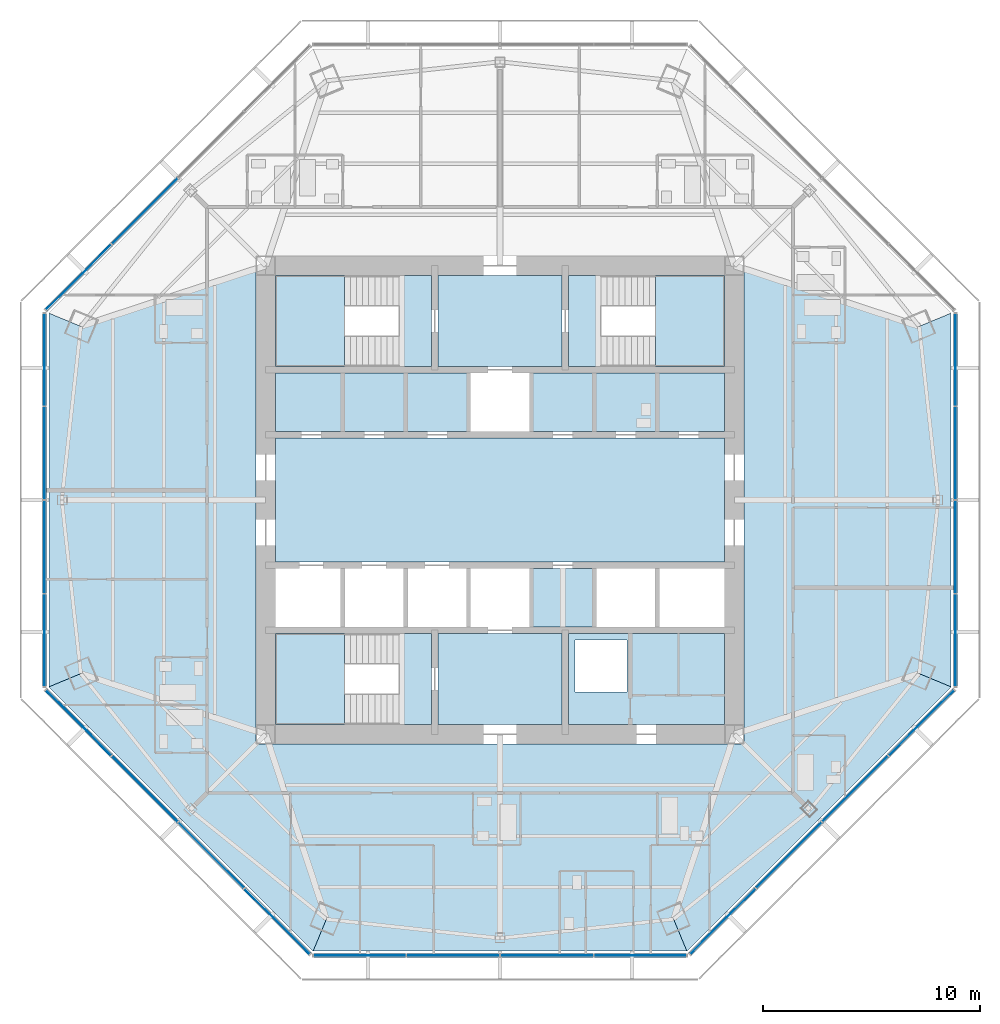
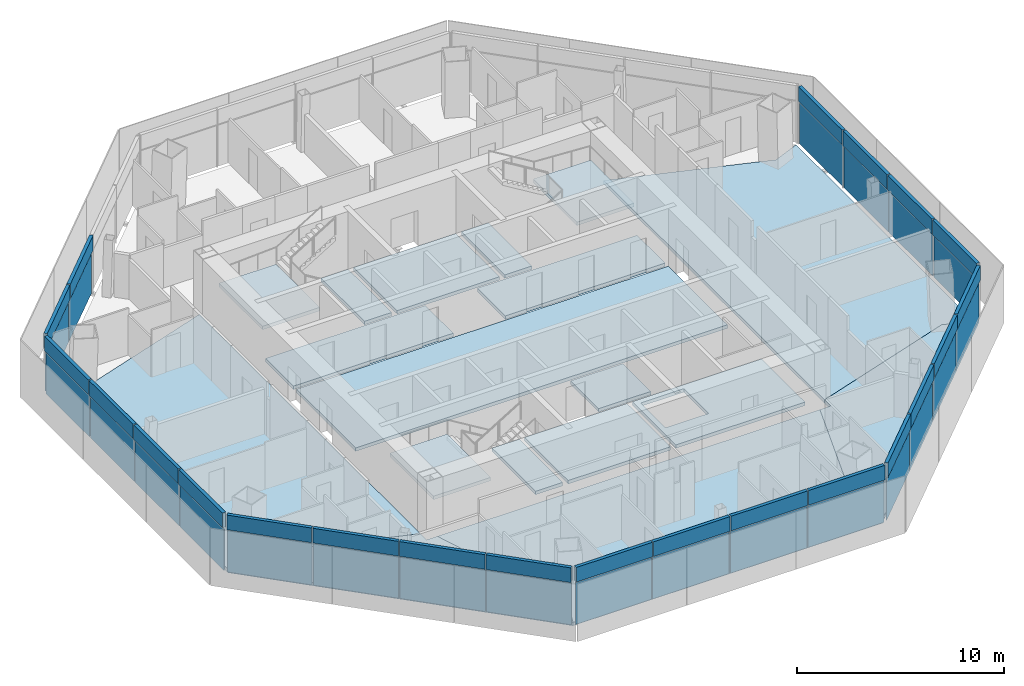
# One storey, part 7 of 15: 44 plates, 18 slabs, 9 elements without a shape of their own.
"""IFC4 building model written with IfcOpenShell, lengths in metres."""

from ifc_helpers import new_model, si_unit, direction, frame, origin, origin_2d, place, context, subcontext, project, spatial, polyline, rectangle, outline, extrude, source, transform, mapped, material, layer, layer_set, type_object, type_shapes, element, aggregate, save


model = new_model("IFC4")

# Units and contexts
model_context = context("Model", 3, precision=1e-05, world=origin(), true_north=direction((0.0, 1.0)))
body_context = subcontext(model_context, "Body", "Model", "MODEL_VIEW")
ifc_project = project(units=[si_unit("LENGTHUNIT", "METRE"), si_unit("AREAUNIT", "SQUARE_METRE"), si_unit("VOLUMEUNIT", "CUBIC_METRE"), si_unit("PLANEANGLEUNIT", "RADIAN"), si_unit("MASSUNIT", "GRAM", prefix="KILO")], contexts=[model_context])

# Site, building, storey
site_placement = place(None, origin())
site = spatial("IfcSite", under=ifc_project, at=site_placement, CompositionType="ELEMENT")
building_placement = place(site_placement, origin())
building = spatial("IfcBuilding", under=site, at=building_placement, Name="Mashrafa Tower", CompositionType="ELEMENT")
storey_placement = place(building_placement, frame((0.0, 0.0, 248.199951171875)))
storey = spatial("IfcBuildingStorey", under=building, at=storey_placement, Name="L59", CompositionType="ELEMENT", Elevation=248.199951171875)

# Slabs
ifc_material_1 = material(Name="Concrete C35/45", Category="concrete")
ifc_layer_1 = layer(ifc_material_1, 0.199951171875)
ifc_layer_set_1 = layer_set([ifc_layer_1], Name="Floor slab 200")
slab_type_1 = type_object("IfcSlabType", Name="Floor slab 200", PredefinedType="FLOOR", material=ifc_layer_set_1)
slab_1_placement = place(storey_placement, frame((0.0, 0.0, -0.199951171875)))
element("IfcSlab", 1, at=slab_1_placement, inside=storey, type_object=slab_type_1, Name="Floor slab L59 east bay", PredefinedType="FLOOR", context=body_context, shape_type="SweptSolid", body=[
    extrude(outline(polyline([(20.79345703125, 8.613037109375), (20.79345703125, -8.613037109375), (20.79345703125, -8.613037109375), (19.32080078125, -8.0029296875), (11.25, -10.65234375), (11.25, 10.65234375), (19.32080078125, 8.0029296875), (20.79345703125, 8.613037109375), (20.79345703125, 8.613037109375)])), origin(), (0.0, 0.0, 1.0), 0.199951171875),
])
slab_2_placement = place(storey_placement, frame((0.0, 0.0, -0.199951171875)))
element("IfcSlab", 2, at=slab_2_placement, inside=storey, type_object=slab_type_1, Name="Floor slab L59 west bay", PredefinedType="FLOOR", context=body_context, shape_type="SweptSolid", body=[
    extrude(outline(polyline([(-20.79345703125, -8.613037109375), (-20.79345703125, 8.613037109375), (-20.79345703125, 8.613037109375), (-19.32080078125, 8.0029296875), (-11.25, 10.65234375), (-11.25, -10.65234375), (-19.32080078125, -8.0029296875), (-20.79345703125, -8.613037109375), (-20.79345703125, -8.613037109375)])), origin(), (0.0, 0.0, 1.0), 0.199951171875),
])
slab_3_placement = place(storey_placement, frame((0.0, 0.0, -0.199951171875)))
element("IfcSlab", 3, at=slab_3_placement, inside=storey, type_object=slab_type_1, Name="Floor slab L59 south-west bay", PredefinedType="FLOOR", context=body_context, shape_type="SweptSolid", body=[
    extrude(outline(polyline([(-20.79345703125, -8.613037109375), (-19.32080078125, -8.0029296875), (-11.25, -10.65234375), (-11.25, -11.25), (-10.65234375, -11.25), (-8.0029296875, -19.32080078125), (-8.613037109375, -20.79345703125), (-20.79345703125, -8.613037109375)])), origin(), (0.0, 0.0, 1.0), 0.199951171875),
])
slab_4_placement = place(storey_placement, frame((0.0, 0.0, -0.199951171875)))
element("IfcSlab", 4, at=slab_4_placement, inside=storey, type_object=slab_type_1, Name="Floor slab L59 south bay", PredefinedType="FLOOR", context=body_context, shape_type="SweptSolid", body=[
    extrude(outline(polyline([(-8.613037109375, -20.79345703125), (-8.613037109375, -20.79345703125), (-8.0029296875, -19.32080078125), (-10.65234375, -11.25), (10.65234375, -11.25), (8.0029296875, -19.32080078125), (8.613037109375, -20.79345703125), (8.613037109375, -20.79345703125), (-8.613037109375, -20.79345703125)])), origin(), (0.0, 0.0, 1.0), 0.199951171875),
])
slab_5_placement = place(storey_placement, frame((0.0, 0.0, -0.199951171875)))
element("IfcSlab", 5, at=slab_5_placement, inside=storey, type_object=slab_type_1, Name="Floor slab L59 south-east bay", PredefinedType="FLOOR", context=body_context, shape_type="SweptSolid", body=[
    extrude(outline(polyline([(8.613037109375, -20.79345703125), (8.0029296875, -19.32080078125), (10.65234375, -11.25), (11.25, -11.25), (11.25, -10.65234375), (19.32080078125, -8.0029296875), (20.79345703125, -8.613037109375), (8.613037109375, -20.79345703125)])), origin(), (0.0, 0.0, 1.0), 0.199951171875),
])
slab_6_placement = place(storey_placement, frame((0.0, 0.0, -0.199951171875)))
element("IfcSlab", 6, at=slab_6_placement, inside=storey, type_object=slab_type_1, Name="Core floor lift hall L59", PredefinedType="FLOOR", context=body_context, shape_type="SweptSolid", body=[
    extrude(outline(polyline([(-10.35009765625, 2.85009765625), (10.35009765625, 2.85009765625), (10.35009765625, -2.85009765625), (-10.35009765625, -2.85009765625), (-10.35009765625, 2.85009765625)])), origin(), (0.0, 0.0, 1.0), 0.199951171875),
])
slab_7_placement = place(storey_placement, frame((0.0, 0.0, -0.199951171875)))
element("IfcSlab", 7, at=slab_7_placement, inside=storey, type_object=slab_type_1, Name="Core floor riser and electrical band L59", PredefinedType="FLOOR", context=body_context, shape_type="SweptSolid", body=[
    extrude(outline(polyline([(10.35009765625, -6.14990234375), (10.35009765625, -10.35009765625), (3.14990234375, -10.35009765625), (3.14990234375, -6.14990234375), (10.35009765625, -6.14990234375)]), holes=[polyline([(3.449951171875, -8.85009765625), (5.85009765625, -8.85009765625), (5.85009765625, -6.449951171875), (3.449951171875, -6.449951171875), (3.449951171875, -8.85009765625)])]), origin(), (0.0, 0.0, 1.0), 0.199951171875),
])
slab_8_placement = place(storey_placement, frame((0.0, 0.0, -0.199951171875)))
element("IfcSlab", 8, at=slab_8_placement, inside=storey, type_object=slab_type_1, Name="Core floor lift cell L59", PredefinedType="FLOOR", context=body_context, shape_type="SweptSolid", body=[
    extrude(outline(polyline([(-10.35009765625, 5.85009765625), (-1.449951171875, 5.85009765625), (-1.449951171875, 3.14990234375), (-10.35009765625, 3.14990234375), (-10.35009765625, 5.85009765625)])), origin(), (0.0, 0.0, 1.0), 0.199951171875),
])
slab_9_placement = place(storey_placement, frame((0.0, 0.0, -0.199951171875)))
element("IfcSlab", 9, at=slab_9_placement, inside=storey, type_object=slab_type_1, Name="Core floor lift cell L59", PredefinedType="FLOOR", context=body_context, shape_type="SweptSolid", body=[
    extrude(outline(polyline([(1.449951171875, 5.85009765625), (10.35009765625, 5.85009765625), (10.35009765625, 3.14990234375), (1.449951171875, 3.14990234375), (1.449951171875, 5.85009765625)])), origin(), (0.0, 0.0, 1.0), 0.199951171875),
])
slab_10_placement = place(storey_placement, frame((0.0, 0.0, -0.199951171875)))
element("IfcSlab", 10, at=slab_10_placement, inside=storey, type_object=slab_type_1, Name="Core floor fire-fighting lobby south L59", PredefinedType="FLOOR", context=body_context, shape_type="SweptSolid", body=[
    extrude(outline(polyline([(2.85009765625, -6.14990234375), (2.85009765625, -10.35009765625), (-2.85009765625, -10.35009765625), (-2.85009765625, -6.14990234375), (2.85009765625, -6.14990234375)])), origin(), (0.0, 0.0, 1.0), 0.199951171875),
])
slab_11_placement = place(storey_placement, frame((0.0, 0.0, -0.199951171875)))
element("IfcSlab", 11, at=slab_11_placement, inside=storey, type_object=slab_type_1, Name="Core floor fire-fighting lobby north L59", PredefinedType="FLOOR", context=body_context, shape_type="SweptSolid", body=[
    extrude(outline(polyline([(-2.85009765625, 10.35009765625), (2.85009765625, 10.35009765625), (2.85009765625, 6.14990234375), (-2.85009765625, 6.14990234375), (-2.85009765625, 10.35009765625)])), origin(), (0.0, 0.0, 1.0), 0.199951171875),
])
slab_12_placement = place(storey_placement, frame((0.0, 0.0, -0.199951171875)))
element("IfcSlab", 12, at=slab_12_placement, inside=storey, type_object=slab_type_1, Name="Core floor lift cell L59", PredefinedType="FLOOR", context=body_context, shape_type="SweptSolid", body=[
    extrude(outline(polyline([(4.35009765625, -3.14990234375), (4.35009765625, -5.85009765625), (1.449951171875, -5.85009765625), (1.449951171875, -3.14990234375), (4.35009765625, -3.14990234375)])), origin(), (0.0, 0.0, 1.0), 0.199951171875),
])

# Stair, slabs
ifc_material_2 = material(Name="Exit stair 1400")
stair_type = type_object("IfcStairType", Name="Exit stair 1400", PredefinedType="HALF_TURN_STAIR", material=ifc_material_2)
stair_1_placement = place(storey_placement, origin())
stair_1 = element("IfcStair", 13, at=stair_1_placement, inside=storey, type_object=stair_type, Name="Stair S1 L59", PredefinedType="HALF_TURN_STAIR")
ifc_material_3 = material(Name="Concrete C32/40", Category="concrete")
ifc_layer_2 = layer(ifc_material_3, 0.199951171875)
ifc_layer_set_2 = layer_set([ifc_layer_2], Name="Stair landing 200")
slab_type_2 = type_object("IfcSlabType", Name="Stair landing 200", PredefinedType="LANDING", material=ifc_layer_set_2)
slab_13_placement = place(storey_placement, frame((0.0, 0.0, -0.199951171875)))
slab_13 = element("IfcSlab", 14, at=slab_13_placement, type_object=slab_type_2, Name="S1 landing 1", PredefinedType="LANDING", context=body_context, shape_type="SweptSolid", body=[
    extrude(outline(polyline([(-4.659912109375, 6.14990234375), (-3.14990234375, 6.14990234375), (-3.14990234375, 10.35009765625), (-4.659912109375, 10.35009765625), (-4.659912109375, 6.14990234375)])), origin(), (0.0, 0.0, 1.0), 0.199951171875),
])
slab_14_placement = place(storey_placement, frame((0.0, 0.0, 1.5)))
slab_14 = element("IfcSlab", 15, at=slab_14_placement, type_object=slab_type_2, Name="S1 landing 2", PredefinedType="LANDING", context=body_context, shape_type="SweptSolid", body=[
    extrude(outline(polyline([(-10.35009765625, 6.14990234375), (-7.159912109375, 6.14990234375), (-7.159912109375, 10.35009765625), (-10.35009765625, 10.35009765625), (-10.35009765625, 6.14990234375)])), origin(), (0.0, 0.0, 1.0), 0.199951171875),
])
aggregate(stair_1, [slab_13, slab_14])

stair_2_placement = place(storey_placement, origin())
stair_2 = element("IfcStair", 16, at=stair_2_placement, inside=storey, type_object=stair_type, Name="Stair S2 L59", PredefinedType="HALF_TURN_STAIR")
slab_15_placement = place(storey_placement, frame((0.0, 0.0, -0.199951171875)))
slab_15 = element("IfcSlab", 17, at=slab_15_placement, type_object=slab_type_2, Name="S2 landing 1", PredefinedType="LANDING", context=body_context, shape_type="SweptSolid", body=[
    extrude(outline(polyline([(3.14990234375, 6.14990234375), (4.659912109375, 6.14990234375), (4.659912109375, 10.35009765625), (3.14990234375, 10.35009765625), (3.14990234375, 6.14990234375)])), origin(), (0.0, 0.0, 1.0), 0.199951171875),
])
slab_16_placement = place(storey_placement, frame((0.0, 0.0, 1.5)))
slab_16 = element("IfcSlab", 18, at=slab_16_placement, type_object=slab_type_2, Name="S2 landing 2", PredefinedType="LANDING", context=body_context, shape_type="SweptSolid", body=[
    extrude(outline(polyline([(7.159912109375, 6.14990234375), (10.35009765625, 6.14990234375), (10.35009765625, 10.35009765625), (7.159912109375, 10.35009765625), (7.159912109375, 6.14990234375)])), origin(), (0.0, 0.0, 1.0), 0.199951171875),
])
aggregate(stair_2, [slab_15, slab_16])

stair_3_placement = place(storey_placement, origin())
stair_3 = element("IfcStair", 19, at=stair_3_placement, inside=storey, type_object=stair_type, Name="Stair S3 L59", PredefinedType="HALF_TURN_STAIR")
slab_17_placement = place(storey_placement, frame((0.0, 0.0, -0.199951171875)))
slab_17 = element("IfcSlab", 20, at=slab_17_placement, type_object=slab_type_2, Name="S3 landing 1", PredefinedType="LANDING", context=body_context, shape_type="SweptSolid", body=[
    extrude(outline(polyline([(-4.659912109375, -10.35009765625), (-3.14990234375, -10.35009765625), (-3.14990234375, -6.14990234375), (-4.659912109375, -6.14990234375), (-4.659912109375, -10.35009765625)])), origin(), (0.0, 0.0, 1.0), 0.199951171875),
])
slab_18_placement = place(storey_placement, frame((0.0, 0.0, 1.5)))
slab_18 = element("IfcSlab", 21, at=slab_18_placement, type_object=slab_type_2, Name="S3 landing 2", PredefinedType="LANDING", context=body_context, shape_type="SweptSolid", body=[
    extrude(outline(polyline([(-10.35009765625, -10.35009765625), (-7.159912109375, -10.35009765625), (-7.159912109375, -6.14990234375), (-10.35009765625, -6.14990234375), (-10.35009765625, -10.35009765625)])), origin(), (0.0, 0.0, 1.0), 0.199951171875),
])
aggregate(stair_3, [slab_17, slab_18])

# Curtain wall, plates
ifc_material_4 = material(Name="Unitised aluminium curtain wall", Category="aluminium")
curtain_wall_type = type_object("IfcCurtainWallType", Name="Apartment curtain wall, zone 3 CW-C 180 deep", PredefinedType="NOTDEFINED", material=ifc_material_4)
curtain_wall_1_placement = place(storey_placement, origin())
curtain_wall_1 = element("IfcCurtainWall", 22, at=curtain_wall_1_placement, inside=storey, type_object=curtain_wall_type, Name="Apartment curtain wall, zone 3 L59 east", PredefinedType="NOTDEFINED")
ifc_material_5 = material(Name="Insulated double glazing, acoustic", Category="glass")
ifc_layer_3 = layer(ifc_material_5, 0.028076171875)
ifc_layer_set_3 = layer_set([ifc_layer_3], Name="Vision panel CW-C 28")
plate_type_1 = type_object("IfcPlateType", Name="Vision panel CW-C 28", PredefinedType="CURTAIN_PANEL", material=ifc_layer_set_3)
shared_shape_1 = source(origin(), body_context, "Body", "SweptSolid", [
    extrude(rectangle(XDim=4.234375, YDim=0.028076171875, at=origin_2d()), origin(), (0.0, 0.0, 1.0), 2.46240234375),
])
plate_1_placement = place(storey_placement, frame((20.993408203125, -6.471435546875, 0.0), z_axis=(0.0, 0.0, 1.0), x_axis=(0.0, 1.0, 0.0)))
plate_1 = element("IfcPlate", 23, at=plate_1_placement, type_object=plate_type_1, Name="CW-C vision panel 1", PredefinedType="CURTAIN_PANEL", context=body_context, shape_type="MappedRepresentation", body=[
    mapped(shared_shape_1, transform((0.0, 0.0, 0.0))),
])
plate_2_placement = place(storey_placement, frame((20.993408203125, 6.471435546875, 0.0), z_axis=(0.0, 0.0, 1.0), x_axis=(0.0, 1.0, 0.0)))
plate_2 = element("IfcPlate", 24, at=plate_2_placement, type_object=plate_type_1, Name="CW-C vision panel 4", PredefinedType="CURTAIN_PANEL", context=body_context, shape_type="MappedRepresentation", body=[
    mapped(shared_shape_1, transform((0.0, 0.0, 0.0))),
])

# Curtain wall, plate
curtain_wall_2_placement = place(storey_placement, origin())
curtain_wall_2 = element("IfcCurtainWall", 25, at=curtain_wall_2_placement, inside=storey, type_object=curtain_wall_type, Name="Apartment curtain wall, zone 3 L59 north-west", PredefinedType="NOTDEFINED")
plate_3_placement = place(storey_placement, frame((-19.420654296875, 10.268798828125, 0.0), z_axis=(0.0, 0.0, 1.0), x_axis=(-0.707106781187, -0.707106781187, 0.0)))
plate_3 = element("IfcPlate", 26, at=plate_3_placement, type_object=plate_type_1, Name="CW-C vision panel 4", PredefinedType="CURTAIN_PANEL", context=body_context, shape_type="MappedRepresentation", body=[
    mapped(shared_shape_1, transform((0.0, 0.0, 0.0))),
])

# Curtain wall, plates
curtain_wall_3_placement = place(storey_placement, origin())
curtain_wall_3 = element("IfcCurtainWall", 27, at=curtain_wall_3_placement, inside=storey, type_object=curtain_wall_type, Name="Apartment curtain wall, zone 3 L59 west", PredefinedType="NOTDEFINED")
plate_4_placement = place(storey_placement, frame((-20.993408203125, 6.471435546875, 0.0), z_axis=(0.0, 0.0, 1.0), x_axis=(0.0, -1.0, 0.0)))
plate_4 = element("IfcPlate", 28, at=plate_4_placement, type_object=plate_type_1, Name="CW-C vision panel 1", PredefinedType="CURTAIN_PANEL", context=body_context, shape_type="MappedRepresentation", body=[
    mapped(shared_shape_1, transform((0.0, 0.0, 0.0))),
])
plate_5_placement = place(storey_placement, frame((-20.993408203125, -6.471435546875, 0.0), z_axis=(0.0, 0.0, 1.0), x_axis=(0.0, -1.0, 0.0)))
plate_5 = element("IfcPlate", 29, at=plate_5_placement, type_object=plate_type_1, Name="CW-C vision panel 4", PredefinedType="CURTAIN_PANEL", context=body_context, shape_type="MappedRepresentation", body=[
    mapped(shared_shape_1, transform((0.0, 0.0, 0.0))),
])

curtain_wall_4_placement = place(storey_placement, origin())
curtain_wall_4 = element("IfcCurtainWall", 30, at=curtain_wall_4_placement, inside=storey, type_object=curtain_wall_type, Name="Apartment curtain wall, zone 3 L59 south-west", PredefinedType="NOTDEFINED")
plate_6_placement = place(storey_placement, frame((-19.420654296875, -10.268798828125, 0.0), z_axis=(0.0, 0.0, 1.0), x_axis=(0.707106781187, -0.707106781187, 0.0)))
plate_6 = element("IfcPlate", 31, at=plate_6_placement, type_object=plate_type_1, Name="CW-C vision panel 1", PredefinedType="CURTAIN_PANEL", context=body_context, shape_type="MappedRepresentation", body=[
    mapped(shared_shape_1, transform((0.0, 0.0, 0.0))),
])
plate_7_placement = place(storey_placement, frame((-10.268798828125, -19.420654296875, 0.0), z_axis=(0.0, 0.0, 1.0), x_axis=(0.707106781187, -0.707106781187, 0.0)))
plate_7 = element("IfcPlate", 32, at=plate_7_placement, type_object=plate_type_1, Name="CW-C vision panel 4", PredefinedType="CURTAIN_PANEL", context=body_context, shape_type="MappedRepresentation", body=[
    mapped(shared_shape_1, transform((0.0, 0.0, 0.0))),
])

curtain_wall_5_placement = place(storey_placement, origin())
curtain_wall_5 = element("IfcCurtainWall", 33, at=curtain_wall_5_placement, inside=storey, type_object=curtain_wall_type, Name="Apartment curtain wall, zone 3 L59 south", PredefinedType="NOTDEFINED")
plate_8_placement = place(storey_placement, frame((-6.471435546875, -20.993408203125, 0.0), z_axis=(0.0, 0.0, 1.0), x_axis=(1.0, 0.0, 0.0)))
plate_8 = element("IfcPlate", 34, at=plate_8_placement, type_object=plate_type_1, Name="CW-C vision panel 1", PredefinedType="CURTAIN_PANEL", context=body_context, shape_type="MappedRepresentation", body=[
    mapped(shared_shape_1, transform((0.0, 0.0, 0.0))),
])
plate_9_placement = place(storey_placement, frame((6.471435546875, -20.993408203125, 0.0), z_axis=(0.0, 0.0, 1.0), x_axis=(1.0, 0.0, 0.0)))
plate_9 = element("IfcPlate", 35, at=plate_9_placement, type_object=plate_type_1, Name="CW-C vision panel 4", PredefinedType="CURTAIN_PANEL", context=body_context, shape_type="MappedRepresentation", body=[
    mapped(shared_shape_1, transform((0.0, 0.0, 0.0))),
])

curtain_wall_6_placement = place(storey_placement, origin())
curtain_wall_6 = element("IfcCurtainWall", 36, at=curtain_wall_6_placement, inside=storey, type_object=curtain_wall_type, Name="Apartment curtain wall, zone 3 L59 south-east", PredefinedType="NOTDEFINED")
plate_10_placement = place(storey_placement, frame((10.268798828125, -19.420654296875, 0.0), z_axis=(0.0, 0.0, 1.0), x_axis=(0.707106781187, 0.707106781187, 0.0)))
plate_10 = element("IfcPlate", 37, at=plate_10_placement, type_object=plate_type_1, Name="CW-C vision panel 1", PredefinedType="CURTAIN_PANEL", context=body_context, shape_type="MappedRepresentation", body=[
    mapped(shared_shape_1, transform((0.0, 0.0, 0.0))),
])
plate_11_placement = place(storey_placement, frame((19.420654296875, -10.268798828125, 0.0), z_axis=(0.0, 0.0, 1.0), x_axis=(0.707106781187, 0.707106781187, 0.0)))
plate_11 = element("IfcPlate", 38, at=plate_11_placement, type_object=plate_type_1, Name="CW-C vision panel 4", PredefinedType="CURTAIN_PANEL", context=body_context, shape_type="MappedRepresentation", body=[
    mapped(shared_shape_1, transform((0.0, 0.0, 0.0))),
])

# Plate
ifc_material_6 = material(Name="Insulated bronze aluminium spandrel panel", Category="aluminium")
ifc_layer_4 = layer(ifc_material_6, 0.179931640625)
ifc_layer_set_4 = layer_set([ifc_layer_4], Name="Spandrel panel CW-C 180")
plate_type_2 = type_object("IfcPlateType", Name="Spandrel panel CW-C 180", PredefinedType="CURTAIN_PANEL", material=ifc_layer_set_4)
shared_shape_2 = source(origin(), body_context, "Body", "SweptSolid", [
    extrude(rectangle(XDim=4.234375, YDim=0.179931640625, at=origin_2d()), origin(), (0.0, 0.0, 1.0), 0.862548828125),
])
plate_12_placement = place(storey_placement, frame((20.993408203125, -6.471435546875, 2.53759765625), z_axis=(0.0, 0.0, 1.0), x_axis=(0.0, 1.0, 0.0)))
plate_12 = element("IfcPlate", 39, at=plate_12_placement, type_object=plate_type_2, Name="CW-C spandrel panel 1", PredefinedType="CURTAIN_PANEL", context=body_context, shape_type="MappedRepresentation", body=[
    mapped(shared_shape_2, transform((0.0, 0.0, 0.0))),
])

plate_13_placement = place(storey_placement, frame((20.993408203125, 6.471435546875, 2.53759765625), z_axis=(0.0, 0.0, 1.0), x_axis=(0.0, 1.0, 0.0)))
plate_13 = element("IfcPlate", 40, at=plate_13_placement, type_object=plate_type_2, Name="CW-C spandrel panel 4", PredefinedType="CURTAIN_PANEL", context=body_context, shape_type="MappedRepresentation", body=[
    mapped(shared_shape_2, transform((0.0, 0.0, 0.0))),
])

plate_14_placement = place(storey_placement, frame((-19.420654296875, 10.268798828125, 2.53759765625), z_axis=(0.0, 0.0, 1.0), x_axis=(-0.707106781187, -0.707106781187, 0.0)))
plate_14 = element("IfcPlate", 41, at=plate_14_placement, type_object=plate_type_2, Name="CW-C spandrel panel 4", PredefinedType="CURTAIN_PANEL", context=body_context, shape_type="MappedRepresentation", body=[
    mapped(shared_shape_2, transform((0.0, 0.0, 0.0))),
])

plate_15_placement = place(storey_placement, frame((-20.993408203125, 6.471435546875, 2.53759765625), z_axis=(0.0, 0.0, 1.0), x_axis=(0.0, -1.0, 0.0)))
plate_15 = element("IfcPlate", 42, at=plate_15_placement, type_object=plate_type_2, Name="CW-C spandrel panel 1", PredefinedType="CURTAIN_PANEL", context=body_context, shape_type="MappedRepresentation", body=[
    mapped(shared_shape_2, transform((0.0, 0.0, 0.0))),
])

plate_16_placement = place(storey_placement, frame((-20.993408203125, -6.471435546875, 2.53759765625), z_axis=(0.0, 0.0, 1.0), x_axis=(0.0, -1.0, 0.0)))
plate_16 = element("IfcPlate", 43, at=plate_16_placement, type_object=plate_type_2, Name="CW-C spandrel panel 4", PredefinedType="CURTAIN_PANEL", context=body_context, shape_type="MappedRepresentation", body=[
    mapped(shared_shape_2, transform((0.0, 0.0, 0.0))),
])

plate_17_placement = place(storey_placement, frame((-19.420654296875, -10.268798828125, 2.53759765625), z_axis=(0.0, 0.0, 1.0), x_axis=(0.707106781187, -0.707106781187, 0.0)))
plate_17 = element("IfcPlate", 44, at=plate_17_placement, type_object=plate_type_2, Name="CW-C spandrel panel 1", PredefinedType="CURTAIN_PANEL", context=body_context, shape_type="MappedRepresentation", body=[
    mapped(shared_shape_2, transform((0.0, 0.0, 0.0))),
])

plate_18_placement = place(storey_placement, frame((-10.268798828125, -19.420654296875, 2.53759765625), z_axis=(0.0, 0.0, 1.0), x_axis=(0.707106781187, -0.707106781187, 0.0)))
plate_18 = element("IfcPlate", 45, at=plate_18_placement, type_object=plate_type_2, Name="CW-C spandrel panel 4", PredefinedType="CURTAIN_PANEL", context=body_context, shape_type="MappedRepresentation", body=[
    mapped(shared_shape_2, transform((0.0, 0.0, 0.0))),
])

plate_19_placement = place(storey_placement, frame((-6.471435546875, -20.993408203125, 2.53759765625), z_axis=(0.0, 0.0, 1.0), x_axis=(1.0, 0.0, 0.0)))
plate_19 = element("IfcPlate", 46, at=plate_19_placement, type_object=plate_type_2, Name="CW-C spandrel panel 1", PredefinedType="CURTAIN_PANEL", context=body_context, shape_type="MappedRepresentation", body=[
    mapped(shared_shape_2, transform((0.0, 0.0, 0.0))),
])

plate_20_placement = place(storey_placement, frame((6.471435546875, -20.993408203125, 2.53759765625), z_axis=(0.0, 0.0, 1.0), x_axis=(1.0, 0.0, 0.0)))
plate_20 = element("IfcPlate", 47, at=plate_20_placement, type_object=plate_type_2, Name="CW-C spandrel panel 4", PredefinedType="CURTAIN_PANEL", context=body_context, shape_type="MappedRepresentation", body=[
    mapped(shared_shape_2, transform((0.0, 0.0, 0.0))),
])

plate_21_placement = place(storey_placement, frame((10.268798828125, -19.420654296875, 2.53759765625), z_axis=(0.0, 0.0, 1.0), x_axis=(0.707106781187, 0.707106781187, 0.0)))
plate_21 = element("IfcPlate", 48, at=plate_21_placement, type_object=plate_type_2, Name="CW-C spandrel panel 1", PredefinedType="CURTAIN_PANEL", context=body_context, shape_type="MappedRepresentation", body=[
    mapped(shared_shape_2, transform((0.0, 0.0, 0.0))),
])

plate_22_placement = place(storey_placement, frame((19.420654296875, -10.268798828125, 2.53759765625), z_axis=(0.0, 0.0, 1.0), x_axis=(0.707106781187, 0.707106781187, 0.0)))
plate_22 = element("IfcPlate", 49, at=plate_22_placement, type_object=plate_type_2, Name="CW-C spandrel panel 4", PredefinedType="CURTAIN_PANEL", context=body_context, shape_type="MappedRepresentation", body=[
    mapped(shared_shape_2, transform((0.0, 0.0, 0.0))),
])

shared_shape_3 = source(origin(), body_context, "Body", "SweptSolid", [
    extrude(rectangle(XDim=4.26416015625, YDim=0.028076171875, at=origin_2d()), origin(), (0.0, 0.0, 1.0), 2.46240234375),
])
type_shapes(plate_type_1, [shared_shape_1, shared_shape_3])
plate_23_placement = place(storey_placement, frame((20.993408203125, -2.162109375, 0.0), z_axis=(0.0, 0.0, 1.0), x_axis=(0.0, 1.0, 0.0)))
plate_23 = element("IfcPlate", 50, at=plate_23_placement, type_object=plate_type_1, Name="CW-C vision panel 2", PredefinedType="CURTAIN_PANEL", context=body_context, shape_type="MappedRepresentation", body=[
    mapped(shared_shape_3, transform((0.0, 0.0, 0.0))),
])

plate_24_placement = place(storey_placement, frame((20.993408203125, 2.162109375, 0.0), z_axis=(0.0, 0.0, 1.0), x_axis=(0.0, 1.0, 0.0)))
plate_24 = element("IfcPlate", 51, at=plate_24_placement, type_object=plate_type_1, Name="CW-C vision panel 3", PredefinedType="CURTAIN_PANEL", context=body_context, shape_type="MappedRepresentation", body=[
    mapped(shared_shape_3, transform((0.0, 0.0, 0.0))),
])

plate_25_placement = place(storey_placement, frame((-16.37353515625, 13.315673828125, 0.0), z_axis=(0.0, 0.0, 1.0), x_axis=(-0.707106781187, -0.707106781187, 0.0)))
plate_25 = element("IfcPlate", 52, at=plate_25_placement, type_object=plate_type_1, Name="CW-C vision panel 3", PredefinedType="CURTAIN_PANEL", context=body_context, shape_type="MappedRepresentation", body=[
    mapped(shared_shape_3, transform((0.0, 0.0, 0.0))),
])

plate_26_placement = place(storey_placement, frame((-20.993408203125, 2.162109375, 0.0), z_axis=(0.0, 0.0, 1.0), x_axis=(0.0, -1.0, 0.0)))
plate_26 = element("IfcPlate", 53, at=plate_26_placement, type_object=plate_type_1, Name="CW-C vision panel 2", PredefinedType="CURTAIN_PANEL", context=body_context, shape_type="MappedRepresentation", body=[
    mapped(shared_shape_3, transform((0.0, 0.0, 0.0))),
])

plate_27_placement = place(storey_placement, frame((-20.993408203125, -2.162109375, 0.0), z_axis=(0.0, 0.0, 1.0), x_axis=(0.0, -1.0, 0.0)))
plate_27 = element("IfcPlate", 54, at=plate_27_placement, type_object=plate_type_1, Name="CW-C vision panel 3", PredefinedType="CURTAIN_PANEL", context=body_context, shape_type="MappedRepresentation", body=[
    mapped(shared_shape_3, transform((0.0, 0.0, 0.0))),
])

plate_28_placement = place(storey_placement, frame((-16.37353515625, -13.315673828125, 0.0), z_axis=(0.0, 0.0, 1.0), x_axis=(0.707106781187, -0.707106781187, 0.0)))
plate_28 = element("IfcPlate", 55, at=plate_28_placement, type_object=plate_type_1, Name="CW-C vision panel 2", PredefinedType="CURTAIN_PANEL", context=body_context, shape_type="MappedRepresentation", body=[
    mapped(shared_shape_3, transform((0.0, 0.0, 0.0))),
])

plate_29_placement = place(storey_placement, frame((-13.315673828125, -16.37353515625, 0.0), z_axis=(0.0, 0.0, 1.0), x_axis=(0.707106781187, -0.707106781187, 0.0)))
plate_29 = element("IfcPlate", 56, at=plate_29_placement, type_object=plate_type_1, Name="CW-C vision panel 3", PredefinedType="CURTAIN_PANEL", context=body_context, shape_type="MappedRepresentation", body=[
    mapped(shared_shape_3, transform((0.0, 0.0, 0.0))),
])

plate_30_placement = place(storey_placement, frame((-2.162109375, -20.993408203125, 0.0), z_axis=(0.0, 0.0, 1.0), x_axis=(1.0, 0.0, 0.0)))
plate_30 = element("IfcPlate", 57, at=plate_30_placement, type_object=plate_type_1, Name="CW-C vision panel 2", PredefinedType="CURTAIN_PANEL", context=body_context, shape_type="MappedRepresentation", body=[
    mapped(shared_shape_3, transform((0.0, 0.0, 0.0))),
])

plate_31_placement = place(storey_placement, frame((2.162109375, -20.993408203125, 0.0), z_axis=(0.0, 0.0, 1.0), x_axis=(1.0, 0.0, 0.0)))
plate_31 = element("IfcPlate", 58, at=plate_31_placement, type_object=plate_type_1, Name="CW-C vision panel 3", PredefinedType="CURTAIN_PANEL", context=body_context, shape_type="MappedRepresentation", body=[
    mapped(shared_shape_3, transform((0.0, 0.0, 0.0))),
])

plate_32_placement = place(storey_placement, frame((13.315673828125, -16.37353515625, 0.0), z_axis=(0.0, 0.0, 1.0), x_axis=(0.707106781187, 0.707106781187, 0.0)))
plate_32 = element("IfcPlate", 59, at=plate_32_placement, type_object=plate_type_1, Name="CW-C vision panel 2", PredefinedType="CURTAIN_PANEL", context=body_context, shape_type="MappedRepresentation", body=[
    mapped(shared_shape_3, transform((0.0, 0.0, 0.0))),
])

plate_33_placement = place(storey_placement, frame((16.37353515625, -13.315673828125, 0.0), z_axis=(0.0, 0.0, 1.0), x_axis=(0.707106781187, 0.707106781187, 0.0)))
plate_33 = element("IfcPlate", 60, at=plate_33_placement, type_object=plate_type_1, Name="CW-C vision panel 3", PredefinedType="CURTAIN_PANEL", context=body_context, shape_type="MappedRepresentation", body=[
    mapped(shared_shape_3, transform((0.0, 0.0, 0.0))),
])

shared_shape_4 = source(origin(), body_context, "Body", "SweptSolid", [
    extrude(rectangle(XDim=4.26416015625, YDim=0.179931640625, at=origin_2d()), origin(), (0.0, 0.0, 1.0), 0.862548828125),
])
type_shapes(plate_type_2, [shared_shape_2, shared_shape_4])
plate_34_placement = place(storey_placement, frame((20.993408203125, -2.162109375, 2.53759765625), z_axis=(0.0, 0.0, 1.0), x_axis=(0.0, 1.0, 0.0)))
plate_34 = element("IfcPlate", 61, at=plate_34_placement, type_object=plate_type_2, Name="CW-C spandrel panel 2", PredefinedType="CURTAIN_PANEL", context=body_context, shape_type="MappedRepresentation", body=[
    mapped(shared_shape_4, transform((0.0, 0.0, 0.0))),
])

plate_35_placement = place(storey_placement, frame((20.993408203125, 2.162109375, 2.53759765625), z_axis=(0.0, 0.0, 1.0), x_axis=(0.0, 1.0, 0.0)))
plate_35 = element("IfcPlate", 62, at=plate_35_placement, type_object=plate_type_2, Name="CW-C spandrel panel 3", PredefinedType="CURTAIN_PANEL", context=body_context, shape_type="MappedRepresentation", body=[
    mapped(shared_shape_4, transform((0.0, 0.0, 0.0))),
])

aggregate(curtain_wall_1, [plate_1, plate_12, plate_23, plate_34, plate_24, plate_35, plate_2, plate_13])

plate_36_placement = place(storey_placement, frame((-16.37353515625, 13.315673828125, 2.53759765625), z_axis=(0.0, 0.0, 1.0), x_axis=(-0.707106781187, -0.707106781187, 0.0)))
plate_36 = element("IfcPlate", 63, at=plate_36_placement, type_object=plate_type_2, Name="CW-C spandrel panel 3", PredefinedType="CURTAIN_PANEL", context=body_context, shape_type="MappedRepresentation", body=[
    mapped(shared_shape_4, transform((0.0, 0.0, 0.0))),
])

aggregate(curtain_wall_2, [plate_25, plate_36, plate_3, plate_14])

plate_37_placement = place(storey_placement, frame((-20.993408203125, 2.162109375, 2.53759765625), z_axis=(0.0, 0.0, 1.0), x_axis=(0.0, -1.0, 0.0)))
plate_37 = element("IfcPlate", 64, at=plate_37_placement, type_object=plate_type_2, Name="CW-C spandrel panel 2", PredefinedType="CURTAIN_PANEL", context=body_context, shape_type="MappedRepresentation", body=[
    mapped(shared_shape_4, transform((0.0, 0.0, 0.0))),
])

plate_38_placement = place(storey_placement, frame((-20.993408203125, -2.162109375, 2.53759765625), z_axis=(0.0, 0.0, 1.0), x_axis=(0.0, -1.0, 0.0)))
plate_38 = element("IfcPlate", 65, at=plate_38_placement, type_object=plate_type_2, Name="CW-C spandrel panel 3", PredefinedType="CURTAIN_PANEL", context=body_context, shape_type="MappedRepresentation", body=[
    mapped(shared_shape_4, transform((0.0, 0.0, 0.0))),
])

aggregate(curtain_wall_3, [plate_4, plate_15, plate_26, plate_37, plate_27, plate_38, plate_5, plate_16])

plate_39_placement = place(storey_placement, frame((-16.37353515625, -13.315673828125, 2.53759765625), z_axis=(0.0, 0.0, 1.0), x_axis=(0.707106781187, -0.707106781187, 0.0)))
plate_39 = element("IfcPlate", 66, at=plate_39_placement, type_object=plate_type_2, Name="CW-C spandrel panel 2", PredefinedType="CURTAIN_PANEL", context=body_context, shape_type="MappedRepresentation", body=[
    mapped(shared_shape_4, transform((0.0, 0.0, 0.0))),
])

plate_40_placement = place(storey_placement, frame((-13.315673828125, -16.37353515625, 2.53759765625), z_axis=(0.0, 0.0, 1.0), x_axis=(0.707106781187, -0.707106781187, 0.0)))
plate_40 = element("IfcPlate", 67, at=plate_40_placement, type_object=plate_type_2, Name="CW-C spandrel panel 3", PredefinedType="CURTAIN_PANEL", context=body_context, shape_type="MappedRepresentation", body=[
    mapped(shared_shape_4, transform((0.0, 0.0, 0.0))),
])

aggregate(curtain_wall_4, [plate_6, plate_17, plate_28, plate_39, plate_29, plate_40, plate_7, plate_18])

plate_41_placement = place(storey_placement, frame((-2.162109375, -20.993408203125, 2.53759765625), z_axis=(0.0, 0.0, 1.0), x_axis=(1.0, 0.0, 0.0)))
plate_41 = element("IfcPlate", 68, at=plate_41_placement, type_object=plate_type_2, Name="CW-C spandrel panel 2", PredefinedType="CURTAIN_PANEL", context=body_context, shape_type="MappedRepresentation", body=[
    mapped(shared_shape_4, transform((0.0, 0.0, 0.0))),
])

plate_42_placement = place(storey_placement, frame((2.162109375, -20.993408203125, 2.53759765625), z_axis=(0.0, 0.0, 1.0), x_axis=(1.0, 0.0, 0.0)))
plate_42 = element("IfcPlate", 69, at=plate_42_placement, type_object=plate_type_2, Name="CW-C spandrel panel 3", PredefinedType="CURTAIN_PANEL", context=body_context, shape_type="MappedRepresentation", body=[
    mapped(shared_shape_4, transform((0.0, 0.0, 0.0))),
])

aggregate(curtain_wall_5, [plate_8, plate_19, plate_30, plate_41, plate_31, plate_42, plate_9, plate_20])

plate_43_placement = place(storey_placement, frame((13.315673828125, -16.37353515625, 2.53759765625), z_axis=(0.0, 0.0, 1.0), x_axis=(0.707106781187, 0.707106781187, 0.0)))
plate_43 = element("IfcPlate", 70, at=plate_43_placement, type_object=plate_type_2, Name="CW-C spandrel panel 2", PredefinedType="CURTAIN_PANEL", context=body_context, shape_type="MappedRepresentation", body=[
    mapped(shared_shape_4, transform((0.0, 0.0, 0.0))),
])

plate_44_placement = place(storey_placement, frame((16.37353515625, -13.315673828125, 2.53759765625), z_axis=(0.0, 0.0, 1.0), x_axis=(0.707106781187, 0.707106781187, 0.0)))
plate_44 = element("IfcPlate", 71, at=plate_44_placement, type_object=plate_type_2, Name="CW-C spandrel panel 3", PredefinedType="CURTAIN_PANEL", context=body_context, shape_type="MappedRepresentation", body=[
    mapped(shared_shape_4, transform((0.0, 0.0, 0.0))),
])

aggregate(curtain_wall_6, [plate_10, plate_21, plate_32, plate_43, plate_33, plate_44, plate_11, plate_22])

save(model, "model.ifc")
